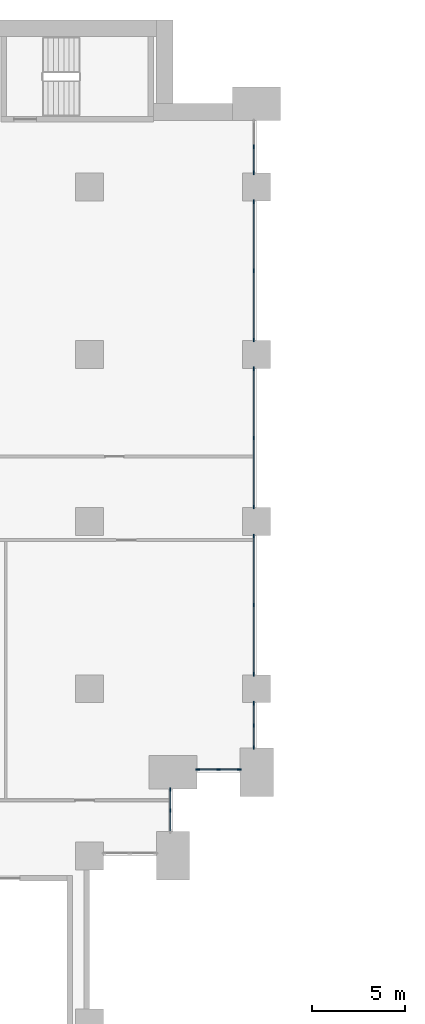
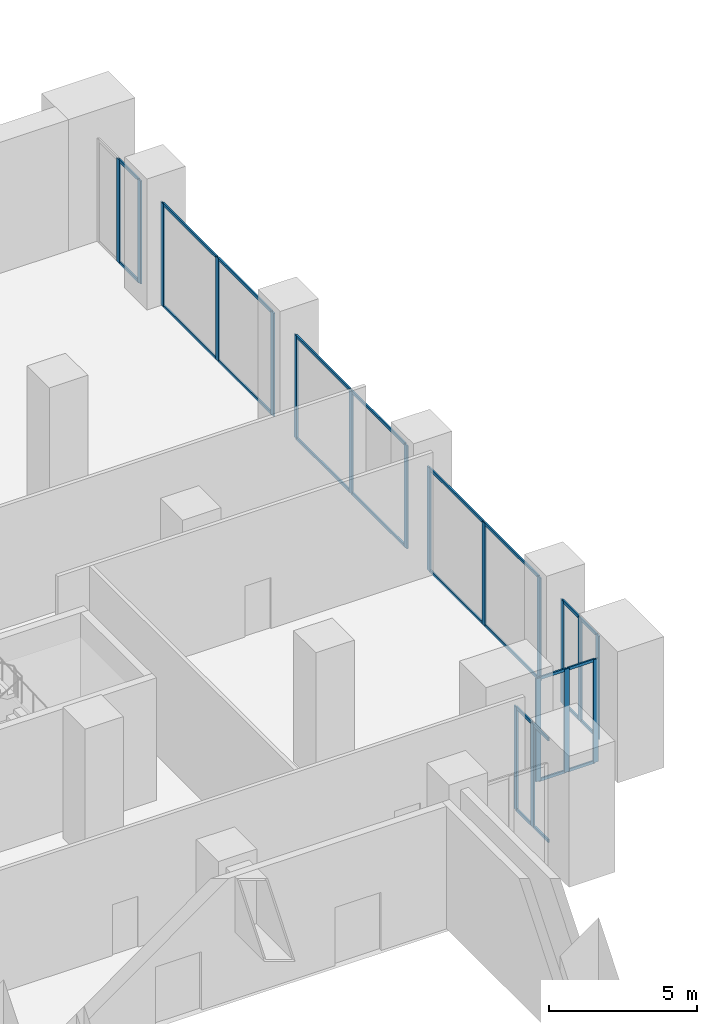
# One storey, part 7 of 43: 45 members, 7 elements without a shape of their own.
"""IFC4 building model written with IfcOpenShell, lengths in metres."""

from ifc_helpers import new_model, si_unit, direction, frame, origin, origin_2d, place, context, subcontext, project, spatial, rectangle, extrude, material, material_profile, profile_set, type_object, element, aggregate, save


model = new_model("IFC4")

# Units and contexts
model_context = context("Model", 3, precision=1e-05, world=origin(), true_north=direction((0.0, 1.0)))
body_context = subcontext(model_context, "Body", "Model", "MODEL_VIEW")
ifc_project = project(units=[si_unit("LENGTHUNIT", "METRE"), si_unit("AREAUNIT", "SQUARE_METRE"), si_unit("VOLUMEUNIT", "CUBIC_METRE"), si_unit("PLANEANGLEUNIT", "RADIAN"), si_unit("MASSUNIT", "GRAM", prefix="KILO")], contexts=[model_context])

# Site, building, storey
site_placement = place(None, origin())
site = spatial("IfcSite", under=ifc_project, at=site_placement, CompositionType="ELEMENT")
building_placement = place(site_placement, origin())
building = spatial("IfcBuilding", under=site, at=building_placement, Name="Hunhe Ridgeline Campus", CompositionType="ELEMENT")
storey_placement = place(building_placement, frame((0.0, 0.0, 11.39990234375)))
storey = spatial("IfcBuildingStorey", under=building, at=storey_placement, Name="L02", CompositionType="ELEMENT", Elevation=11.39990234375)

# Curtain wall, members
ifc_material_1 = material(Name="Aluminium and glass", Category="aluminium")
curtain_wall_type = type_object("IfcCurtainWallType", Name="Podium curtain wall CW-2", PredefinedType="NOTDEFINED", material=ifc_material_1)
curtain_wall_1_placement = place(storey_placement, origin())
curtain_wall_1 = element("IfcCurtainWall", 1, at=curtain_wall_1_placement, inside=storey, type_object=curtain_wall_type, Name="L02 podium curtain wall 2", PredefinedType="NOTDEFINED")
ifc_material_2 = material(Name="Aluminium", Category="aluminium")
ifc_material_profile_1 = material_profile(ifc_material_2, rectangle(XDim=0.06005859375, YDim=0.199951171875, at=origin_2d()))
ifc_profile_set_1 = profile_set([ifc_material_profile_1], Name="Aluminium")
member_type_1 = type_object("IfcMemberType", Name="CW-2 mullion 60x200", PredefinedType="MULLION", material=ifc_profile_set_1)
member_1_placement = place(storey_placement, frame((94.35009765625, 56.449951171875, 0.0), z_axis=(0.0, 0.0, 1.0), x_axis=(-1.0, 0.0, 0.0)))
member_1 = element("IfcMember", 2, at=member_1_placement, type_object=member_type_1, Name="CW2 mullion 2", PredefinedType="MULLION", context=body_context, shape_type="SweptSolid", body=[
    extrude(rectangle(XDim=0.06005859375, YDim=0.199951171875, at=origin_2d()), origin(), (0.0, 0.0, 1.0), 4.25),
])
member_2_placement = place(storey_placement, frame((94.35009765625, 57.570068359375, 0.0), z_axis=(0.0, 0.0, 1.0), x_axis=(-1.0, 0.0, 0.0)))
member_2 = element("IfcMember", 3, at=member_2_placement, type_object=member_type_1, Name="CW2 mullion 3", PredefinedType="MULLION", context=body_context, shape_type="SweptSolid", body=[
    extrude(rectangle(XDim=0.06005859375, YDim=0.199951171875, at=origin_2d()), origin(), (0.0, 0.0, 1.0), 4.25),
])

curtain_wall_2_placement = place(storey_placement, origin())
curtain_wall_2 = element("IfcCurtainWall", 4, at=curtain_wall_2_placement, inside=storey, type_object=curtain_wall_type, Name="L02 podium curtain wall 3", PredefinedType="NOTDEFINED")
member_3_placement = place(storey_placement, frame((95.830078125, 58.64990234375, 0.0), z_axis=(0.0, 0.0, 1.0), x_axis=(0.0, 1.0, 0.0)))
member_3 = element("IfcMember", 5, at=member_3_placement, type_object=member_type_1, Name="CW2 mullion 1", PredefinedType="MULLION", context=body_context, shape_type="SweptSolid", body=[
    extrude(rectangle(XDim=0.06005859375, YDim=0.199951171875, at=origin_2d()), origin(), (0.0, 0.0, 1.0), 4.25),
])
member_4_placement = place(storey_placement, frame((96.949951171875, 58.64990234375, 0.0), z_axis=(0.0, 0.0, 1.0), x_axis=(0.0, 1.0, 0.0)))
member_4 = element("IfcMember", 6, at=member_4_placement, type_object=member_type_1, Name="CW2 mullion 2", PredefinedType="MULLION", context=body_context, shape_type="SweptSolid", body=[
    extrude(rectangle(XDim=0.06005859375, YDim=0.199951171875, at=origin_2d()), origin(), (0.0, 0.0, 1.0), 4.25),
])
member_5_placement = place(storey_placement, frame((98.070068359375, 58.64990234375, 0.0), z_axis=(0.0, 0.0, 1.0), x_axis=(0.0, 1.0, 0.0)))
member_5 = element("IfcMember", 7, at=member_5_placement, type_object=member_type_1, Name="CW2 mullion 3", PredefinedType="MULLION", context=body_context, shape_type="SweptSolid", body=[
    extrude(rectangle(XDim=0.06005859375, YDim=0.199951171875, at=origin_2d()), origin(), (0.0, 0.0, 1.0), 4.25),
])

curtain_wall_3_placement = place(storey_placement, origin())
curtain_wall_3 = element("IfcCurtainWall", 8, at=curtain_wall_3_placement, inside=storey, type_object=curtain_wall_type, Name="L02 podium curtain wall 4", PredefinedType="NOTDEFINED")
member_6_placement = place(storey_placement, frame((98.85009765625, 59.830078125, 0.0), z_axis=(0.0, 0.0, 1.0), x_axis=(-1.0, 0.0, 0.0)))
member_6 = element("IfcMember", 9, at=member_6_placement, type_object=member_type_1, Name="CW2 mullion 1", PredefinedType="MULLION", context=body_context, shape_type="SweptSolid", body=[
    extrude(rectangle(XDim=0.06005859375, YDim=0.199951171875, at=origin_2d()), origin(), (0.0, 0.0, 1.0), 4.25),
])
member_7_placement = place(storey_placement, frame((98.85009765625, 61.02490234375, 0.0), z_axis=(0.0, 0.0, 1.0), x_axis=(-1.0, 0.0, 0.0)))
member_7 = element("IfcMember", 10, at=member_7_placement, type_object=member_type_1, Name="CW2 mullion 2", PredefinedType="MULLION", context=body_context, shape_type="SweptSolid", body=[
    extrude(rectangle(XDim=0.06005859375, YDim=0.199951171875, at=origin_2d()), origin(), (0.0, 0.0, 1.0), 4.25),
])
member_8_placement = place(storey_placement, frame((98.85009765625, 62.219970703125, 0.0), z_axis=(0.0, 0.0, 1.0), x_axis=(-1.0, 0.0, 0.0)))
member_8 = element("IfcMember", 11, at=member_8_placement, type_object=member_type_1, Name="CW2 mullion 3", PredefinedType="MULLION", context=body_context, shape_type="SweptSolid", body=[
    extrude(rectangle(XDim=0.06005859375, YDim=0.199951171875, at=origin_2d()), origin(), (0.0, 0.0, 1.0), 4.25),
])

curtain_wall_4_placement = place(storey_placement, origin())
curtain_wall_4 = element("IfcCurtainWall", 12, at=curtain_wall_4_placement, inside=storey, type_object=curtain_wall_type, Name="L02 podium curtain wall 5", PredefinedType="NOTDEFINED")
member_9_placement = place(storey_placement, frame((98.85009765625, 63.780029296875, 0.0), z_axis=(0.0, 0.0, 1.0), x_axis=(-1.0, 0.0, 0.0)))
member_9 = element("IfcMember", 13, at=member_9_placement, type_object=member_type_1, Name="CW2 mullion 1", PredefinedType="MULLION", context=body_context, shape_type="SweptSolid", body=[
    extrude(rectangle(XDim=0.06005859375, YDim=0.199951171875, at=origin_2d()), origin(), (0.0, 0.0, 1.0), 4.25),
])
member_10_placement = place(storey_placement, frame((98.85009765625, 67.5, 0.0), z_axis=(0.0, 0.0, 1.0), x_axis=(-1.0, 0.0, 0.0)))
member_10 = element("IfcMember", 14, at=member_10_placement, type_object=member_type_1, Name="CW2 mullion 2", PredefinedType="MULLION", context=body_context, shape_type="SweptSolid", body=[
    extrude(rectangle(XDim=0.06005859375, YDim=0.199951171875, at=origin_2d()), origin(), (0.0, 0.0, 1.0), 4.25),
])
member_11_placement = place(storey_placement, frame((98.85009765625, 71.219970703125, 0.0), z_axis=(0.0, 0.0, 1.0), x_axis=(-1.0, 0.0, 0.0)))
member_11 = element("IfcMember", 15, at=member_11_placement, type_object=member_type_1, Name="CW2 mullion 3", PredefinedType="MULLION", context=body_context, shape_type="SweptSolid", body=[
    extrude(rectangle(XDim=0.06005859375, YDim=0.199951171875, at=origin_2d()), origin(), (0.0, 0.0, 1.0), 4.25),
])

curtain_wall_5_placement = place(storey_placement, origin())
curtain_wall_5 = element("IfcCurtainWall", 16, at=curtain_wall_5_placement, inside=storey, type_object=curtain_wall_type, Name="L02 podium curtain wall 6", PredefinedType="NOTDEFINED")
member_12_placement = place(storey_placement, frame((98.85009765625, 72.780029296875, 0.0), z_axis=(0.0, 0.0, 1.0), x_axis=(-1.0, 0.0, 0.0)))
member_12 = element("IfcMember", 17, at=member_12_placement, type_object=member_type_1, Name="CW2 mullion 1", PredefinedType="MULLION", context=body_context, shape_type="SweptSolid", body=[
    extrude(rectangle(XDim=0.06005859375, YDim=0.199951171875, at=origin_2d()), origin(), (0.0, 0.0, 1.0), 4.25),
])
member_13_placement = place(storey_placement, frame((98.85009765625, 76.5, 0.0), z_axis=(0.0, 0.0, 1.0), x_axis=(-1.0, 0.0, 0.0)))
member_13 = element("IfcMember", 18, at=member_13_placement, type_object=member_type_1, Name="CW2 mullion 2", PredefinedType="MULLION", context=body_context, shape_type="SweptSolid", body=[
    extrude(rectangle(XDim=0.06005859375, YDim=0.199951171875, at=origin_2d()), origin(), (0.0, 0.0, 1.0), 4.25),
])
member_14_placement = place(storey_placement, frame((98.85009765625, 80.219970703125, 0.0), z_axis=(0.0, 0.0, 1.0), x_axis=(-1.0, 0.0, 0.0)))
member_14 = element("IfcMember", 19, at=member_14_placement, type_object=member_type_1, Name="CW2 mullion 3", PredefinedType="MULLION", context=body_context, shape_type="SweptSolid", body=[
    extrude(rectangle(XDim=0.06005859375, YDim=0.199951171875, at=origin_2d()), origin(), (0.0, 0.0, 1.0), 4.25),
])

curtain_wall_6_placement = place(storey_placement, origin())
curtain_wall_6 = element("IfcCurtainWall", 20, at=curtain_wall_6_placement, inside=storey, type_object=curtain_wall_type, Name="L02 podium curtain wall 7", PredefinedType="NOTDEFINED")
member_15_placement = place(storey_placement, frame((98.85009765625, 81.780029296875, 0.0), z_axis=(0.0, 0.0, 1.0), x_axis=(-1.0, 0.0, 0.0)))
member_15 = element("IfcMember", 21, at=member_15_placement, type_object=member_type_1, Name="CW2 mullion 1", PredefinedType="MULLION", context=body_context, shape_type="SweptSolid", body=[
    extrude(rectangle(XDim=0.06005859375, YDim=0.199951171875, at=origin_2d()), origin(), (0.0, 0.0, 1.0), 4.25),
])
member_16_placement = place(storey_placement, frame((98.85009765625, 85.5, 0.0), z_axis=(0.0, 0.0, 1.0), x_axis=(-1.0, 0.0, 0.0)))
member_16 = element("IfcMember", 22, at=member_16_placement, type_object=member_type_1, Name="CW2 mullion 2", PredefinedType="MULLION", context=body_context, shape_type="SweptSolid", body=[
    extrude(rectangle(XDim=0.06005859375, YDim=0.199951171875, at=origin_2d()), origin(), (0.0, 0.0, 1.0), 4.25),
])
member_17_placement = place(storey_placement, frame((98.85009765625, 89.219970703125, 0.0), z_axis=(0.0, 0.0, 1.0), x_axis=(-1.0, 0.0, 0.0)))
member_17 = element("IfcMember", 23, at=member_17_placement, type_object=member_type_1, Name="CW2 mullion 3", PredefinedType="MULLION", context=body_context, shape_type="SweptSolid", body=[
    extrude(rectangle(XDim=0.06005859375, YDim=0.199951171875, at=origin_2d()), origin(), (0.0, 0.0, 1.0), 4.25),
])

curtain_wall_7_placement = place(storey_placement, origin())
curtain_wall_7 = element("IfcCurtainWall", 24, at=curtain_wall_7_placement, inside=storey, type_object=curtain_wall_type, Name="L02 podium curtain wall 8", PredefinedType="NOTDEFINED")
member_18_placement = place(storey_placement, frame((98.85009765625, 90.780029296875, 0.0), z_axis=(0.0, 0.0, 1.0), x_axis=(-1.0, 0.0, 0.0)))
member_18 = element("IfcMember", 25, at=member_18_placement, type_object=member_type_1, Name="CW2 mullion 1", PredefinedType="MULLION", context=body_context, shape_type="SweptSolid", body=[
    extrude(rectangle(XDim=0.06005859375, YDim=0.199951171875, at=origin_2d()), origin(), (0.0, 0.0, 1.0), 4.25),
])
member_19_placement = place(storey_placement, frame((98.85009765625, 92.175048828125, 0.0), z_axis=(0.0, 0.0, 1.0), x_axis=(-1.0, 0.0, 0.0)))
member_19 = element("IfcMember", 26, at=member_19_placement, type_object=member_type_1, Name="CW2 mullion 2", PredefinedType="MULLION", context=body_context, shape_type="SweptSolid", body=[
    extrude(rectangle(XDim=0.06005859375, YDim=0.199951171875, at=origin_2d()), origin(), (0.0, 0.0, 1.0), 4.25),
])

# Member
ifc_material_profile_2 = material_profile(ifc_material_2, rectangle(XDim=0.06005859375, YDim=0.1201171875, at=origin_2d()))
ifc_profile_set_2 = profile_set([ifc_material_profile_2], Name="Aluminium")
member_type_2 = type_object("IfcMemberType", Name="CW-2 transom 60x120", PredefinedType="USERDEFINED", material=ifc_profile_set_2)
member_20_placement = place(storey_placement, frame((94.35009765625, 55.360107421875, 0.030029296875), z_axis=(0.0, 1.0, 0.0), x_axis=(-1.0, 0.0, 0.0)))
member_20 = element("IfcMember", 27, at=member_20_placement, type_object=member_type_2, Name="CW2 transom 1.1", ObjectType="TRANSOM", PredefinedType="USERDEFINED", context=body_context, shape_type="SweptSolid", body=[
    extrude(rectangle(XDim=0.06005859375, YDim=0.1201171875, at=origin_2d()), origin(), (0.0, 0.0, 1.0), 1.059814453125),
])

member_21_placement = place(storey_placement, frame((94.35009765625, 55.360107421875, 4.22021484375), z_axis=(0.0, 1.0, 0.0), x_axis=(-1.0, 0.0, 0.0)))
member_21 = element("IfcMember", 28, at=member_21_placement, type_object=member_type_2, Name="CW2 transom 1.2", ObjectType="TRANSOM", PredefinedType="USERDEFINED", context=body_context, shape_type="SweptSolid", body=[
    extrude(rectangle(XDim=0.06005859375, YDim=0.1201171875, at=origin_2d()), origin(), (0.0, 0.0, 1.0), 1.059814453125),
])

member_22_placement = place(storey_placement, frame((94.35009765625, 56.47998046875, 0.030029296875), z_axis=(0.0, 1.0, 0.0), x_axis=(-1.0, 0.0, 0.0)))
member_22 = element("IfcMember", 29, at=member_22_placement, type_object=member_type_2, Name="CW2 transom 2.1", ObjectType="TRANSOM", PredefinedType="USERDEFINED", context=body_context, shape_type="SweptSolid", body=[
    extrude(rectangle(XDim=0.06005859375, YDim=0.1201171875, at=origin_2d()), origin(), (0.0, 0.0, 1.0), 1.06005859375),
])

member_23_placement = place(storey_placement, frame((94.35009765625, 56.47998046875, 4.22021484375), z_axis=(0.0, 1.0, 0.0), x_axis=(-1.0, 0.0, 0.0)))
member_23 = element("IfcMember", 30, at=member_23_placement, type_object=member_type_2, Name="CW2 transom 2.2", ObjectType="TRANSOM", PredefinedType="USERDEFINED", context=body_context, shape_type="SweptSolid", body=[
    extrude(rectangle(XDim=0.06005859375, YDim=0.1201171875, at=origin_2d()), origin(), (0.0, 0.0, 1.0), 1.06005859375),
])

aggregate(curtain_wall_1, [member_1, member_2, member_20, member_21, member_22, member_23])

member_24_placement = place(storey_placement, frame((95.860107421875, 58.64990234375, 0.030029296875), z_axis=(1.0, 0.0, 0.0), x_axis=(0.0, 1.0, 0.0)))
member_24 = element("IfcMember", 31, at=member_24_placement, type_object=member_type_2, Name="CW2 transom 1.1", ObjectType="TRANSOM", PredefinedType="USERDEFINED", context=body_context, shape_type="SweptSolid", body=[
    extrude(rectangle(XDim=0.06005859375, YDim=0.1201171875, at=origin_2d()), origin(), (0.0, 0.0, 1.0), 1.059814453125),
])

member_25_placement = place(storey_placement, frame((95.860107421875, 58.64990234375, 4.22021484375), z_axis=(1.0, 0.0, 0.0), x_axis=(0.0, 1.0, 0.0)))
member_25 = element("IfcMember", 32, at=member_25_placement, type_object=member_type_2, Name="CW2 transom 1.2", ObjectType="TRANSOM", PredefinedType="USERDEFINED", context=body_context, shape_type="SweptSolid", body=[
    extrude(rectangle(XDim=0.06005859375, YDim=0.1201171875, at=origin_2d()), origin(), (0.0, 0.0, 1.0), 1.059814453125),
])

member_26_placement = place(storey_placement, frame((96.97998046875, 58.64990234375, 0.030029296875), z_axis=(1.0, 0.0, 0.0), x_axis=(0.0, 1.0, 0.0)))
member_26 = element("IfcMember", 33, at=member_26_placement, type_object=member_type_2, Name="CW2 transom 2.1", ObjectType="TRANSOM", PredefinedType="USERDEFINED", context=body_context, shape_type="SweptSolid", body=[
    extrude(rectangle(XDim=0.06005859375, YDim=0.1201171875, at=origin_2d()), origin(), (0.0, 0.0, 1.0), 1.06005859375),
])

member_27_placement = place(storey_placement, frame((96.97998046875, 58.64990234375, 4.22021484375), z_axis=(1.0, 0.0, 0.0), x_axis=(0.0, 1.0, 0.0)))
member_27 = element("IfcMember", 34, at=member_27_placement, type_object=member_type_2, Name="CW2 transom 2.2", ObjectType="TRANSOM", PredefinedType="USERDEFINED", context=body_context, shape_type="SweptSolid", body=[
    extrude(rectangle(XDim=0.06005859375, YDim=0.1201171875, at=origin_2d()), origin(), (0.0, 0.0, 1.0), 1.06005859375),
])

aggregate(curtain_wall_2, [member_3, member_4, member_5, member_24, member_25, member_26, member_27])

member_28_placement = place(storey_placement, frame((98.85009765625, 59.860107421875, 0.030029296875), z_axis=(0.0, 1.0, 0.0), x_axis=(-1.0, 0.0, 0.0)))
member_28 = element("IfcMember", 35, at=member_28_placement, type_object=member_type_2, Name="CW2 transom 1.1", ObjectType="TRANSOM", PredefinedType="USERDEFINED", context=body_context, shape_type="SweptSolid", body=[
    extrude(rectangle(XDim=0.06005859375, YDim=0.1201171875, at=origin_2d()), origin(), (0.0, 0.0, 1.0), 1.135009765625),
])

member_29_placement = place(storey_placement, frame((98.85009765625, 59.860107421875, 4.22021484375), z_axis=(0.0, 1.0, 0.0), x_axis=(-1.0, 0.0, 0.0)))
member_29 = element("IfcMember", 36, at=member_29_placement, type_object=member_type_2, Name="CW2 transom 1.2", ObjectType="TRANSOM", PredefinedType="USERDEFINED", context=body_context, shape_type="SweptSolid", body=[
    extrude(rectangle(XDim=0.06005859375, YDim=0.1201171875, at=origin_2d()), origin(), (0.0, 0.0, 1.0), 1.135009765625),
])

member_30_placement = place(storey_placement, frame((98.85009765625, 61.054931640625, 0.030029296875), z_axis=(0.0, 1.0, 0.0), x_axis=(-1.0, 0.0, 0.0)))
member_30 = element("IfcMember", 37, at=member_30_placement, type_object=member_type_2, Name="CW2 transom 2.1", ObjectType="TRANSOM", PredefinedType="USERDEFINED", context=body_context, shape_type="SweptSolid", body=[
    extrude(rectangle(XDim=0.06005859375, YDim=0.1201171875, at=origin_2d()), origin(), (0.0, 0.0, 1.0), 1.135009765625),
])

member_31_placement = place(storey_placement, frame((98.85009765625, 61.054931640625, 4.22021484375), z_axis=(0.0, 1.0, 0.0), x_axis=(-1.0, 0.0, 0.0)))
member_31 = element("IfcMember", 38, at=member_31_placement, type_object=member_type_2, Name="CW2 transom 2.2", ObjectType="TRANSOM", PredefinedType="USERDEFINED", context=body_context, shape_type="SweptSolid", body=[
    extrude(rectangle(XDim=0.06005859375, YDim=0.1201171875, at=origin_2d()), origin(), (0.0, 0.0, 1.0), 1.135009765625),
])

aggregate(curtain_wall_3, [member_6, member_7, member_8, member_28, member_29, member_30, member_31])

member_32_placement = place(storey_placement, frame((98.85009765625, 63.81005859375, 0.030029296875), z_axis=(0.0, 1.0, 0.0), x_axis=(-1.0, 0.0, 0.0)))
member_32 = element("IfcMember", 39, at=member_32_placement, type_object=member_type_2, Name="CW2 transom 1.1", ObjectType="TRANSOM", PredefinedType="USERDEFINED", context=body_context, shape_type="SweptSolid", body=[
    extrude(rectangle(XDim=0.06005859375, YDim=0.1201171875, at=origin_2d()), origin(), (0.0, 0.0, 1.0), 3.659912109375),
])

member_33_placement = place(storey_placement, frame((98.85009765625, 63.81005859375, 4.22021484375), z_axis=(0.0, 1.0, 0.0), x_axis=(-1.0, 0.0, 0.0)))
member_33 = element("IfcMember", 40, at=member_33_placement, type_object=member_type_2, Name="CW2 transom 1.2", ObjectType="TRANSOM", PredefinedType="USERDEFINED", context=body_context, shape_type="SweptSolid", body=[
    extrude(rectangle(XDim=0.06005859375, YDim=0.1201171875, at=origin_2d()), origin(), (0.0, 0.0, 1.0), 3.659912109375),
])

member_34_placement = place(storey_placement, frame((98.85009765625, 67.530029296875, 0.030029296875), z_axis=(0.0, 1.0, 0.0), x_axis=(-1.0, 0.0, 0.0)))
member_34 = element("IfcMember", 41, at=member_34_placement, type_object=member_type_2, Name="CW2 transom 2.1", ObjectType="TRANSOM", PredefinedType="USERDEFINED", context=body_context, shape_type="SweptSolid", body=[
    extrude(rectangle(XDim=0.06005859375, YDim=0.1201171875, at=origin_2d()), origin(), (0.0, 0.0, 1.0), 3.659912109375),
])

member_35_placement = place(storey_placement, frame((98.85009765625, 67.530029296875, 4.22021484375), z_axis=(0.0, 1.0, 0.0), x_axis=(-1.0, 0.0, 0.0)))
member_35 = element("IfcMember", 42, at=member_35_placement, type_object=member_type_2, Name="CW2 transom 2.2", ObjectType="TRANSOM", PredefinedType="USERDEFINED", context=body_context, shape_type="SweptSolid", body=[
    extrude(rectangle(XDim=0.06005859375, YDim=0.1201171875, at=origin_2d()), origin(), (0.0, 0.0, 1.0), 3.659912109375),
])

aggregate(curtain_wall_4, [member_9, member_10, member_11, member_32, member_33, member_34, member_35])

member_36_placement = place(storey_placement, frame((98.85009765625, 72.81005859375, 0.030029296875), z_axis=(0.0, 1.0, 0.0), x_axis=(-1.0, 0.0, 0.0)))
member_36 = element("IfcMember", 43, at=member_36_placement, type_object=member_type_2, Name="CW2 transom 1.1", ObjectType="TRANSOM", PredefinedType="USERDEFINED", context=body_context, shape_type="SweptSolid", body=[
    extrude(rectangle(XDim=0.06005859375, YDim=0.1201171875, at=origin_2d()), origin(), (0.0, 0.0, 1.0), 3.659912109375),
])

member_37_placement = place(storey_placement, frame((98.85009765625, 72.81005859375, 4.22021484375), z_axis=(0.0, 1.0, 0.0), x_axis=(-1.0, 0.0, 0.0)))
member_37 = element("IfcMember", 44, at=member_37_placement, type_object=member_type_2, Name="CW2 transom 1.2", ObjectType="TRANSOM", PredefinedType="USERDEFINED", context=body_context, shape_type="SweptSolid", body=[
    extrude(rectangle(XDim=0.06005859375, YDim=0.1201171875, at=origin_2d()), origin(), (0.0, 0.0, 1.0), 3.659912109375),
])

member_38_placement = place(storey_placement, frame((98.85009765625, 76.530029296875, 0.030029296875), z_axis=(0.0, 1.0, 0.0), x_axis=(-1.0, 0.0, 0.0)))
member_38 = element("IfcMember", 45, at=member_38_placement, type_object=member_type_2, Name="CW2 transom 2.1", ObjectType="TRANSOM", PredefinedType="USERDEFINED", context=body_context, shape_type="SweptSolid", body=[
    extrude(rectangle(XDim=0.06005859375, YDim=0.1201171875, at=origin_2d()), origin(), (0.0, 0.0, 1.0), 3.659912109375),
])

member_39_placement = place(storey_placement, frame((98.85009765625, 76.530029296875, 4.22021484375), z_axis=(0.0, 1.0, 0.0), x_axis=(-1.0, 0.0, 0.0)))
member_39 = element("IfcMember", 46, at=member_39_placement, type_object=member_type_2, Name="CW2 transom 2.2", ObjectType="TRANSOM", PredefinedType="USERDEFINED", context=body_context, shape_type="SweptSolid", body=[
    extrude(rectangle(XDim=0.06005859375, YDim=0.1201171875, at=origin_2d()), origin(), (0.0, 0.0, 1.0), 3.659912109375),
])

aggregate(curtain_wall_5, [member_12, member_13, member_14, member_36, member_37, member_38, member_39])

member_40_placement = place(storey_placement, frame((98.85009765625, 81.81005859375, 0.030029296875), z_axis=(0.0, 1.0, 0.0), x_axis=(-1.0, 0.0, 0.0)))
member_40 = element("IfcMember", 47, at=member_40_placement, type_object=member_type_2, Name="CW2 transom 1.1", ObjectType="TRANSOM", PredefinedType="USERDEFINED", context=body_context, shape_type="SweptSolid", body=[
    extrude(rectangle(XDim=0.06005859375, YDim=0.1201171875, at=origin_2d()), origin(), (0.0, 0.0, 1.0), 3.659912109375),
])

member_41_placement = place(storey_placement, frame((98.85009765625, 81.81005859375, 4.22021484375), z_axis=(0.0, 1.0, 0.0), x_axis=(-1.0, 0.0, 0.0)))
member_41 = element("IfcMember", 48, at=member_41_placement, type_object=member_type_2, Name="CW2 transom 1.2", ObjectType="TRANSOM", PredefinedType="USERDEFINED", context=body_context, shape_type="SweptSolid", body=[
    extrude(rectangle(XDim=0.06005859375, YDim=0.1201171875, at=origin_2d()), origin(), (0.0, 0.0, 1.0), 3.659912109375),
])

member_42_placement = place(storey_placement, frame((98.85009765625, 85.530029296875, 0.030029296875), z_axis=(0.0, 1.0, 0.0), x_axis=(-1.0, 0.0, 0.0)))
member_42 = element("IfcMember", 49, at=member_42_placement, type_object=member_type_2, Name="CW2 transom 2.1", ObjectType="TRANSOM", PredefinedType="USERDEFINED", context=body_context, shape_type="SweptSolid", body=[
    extrude(rectangle(XDim=0.06005859375, YDim=0.1201171875, at=origin_2d()), origin(), (0.0, 0.0, 1.0), 3.659912109375),
])

member_43_placement = place(storey_placement, frame((98.85009765625, 85.530029296875, 4.22021484375), z_axis=(0.0, 1.0, 0.0), x_axis=(-1.0, 0.0, 0.0)))
member_43 = element("IfcMember", 50, at=member_43_placement, type_object=member_type_2, Name="CW2 transom 2.2", ObjectType="TRANSOM", PredefinedType="USERDEFINED", context=body_context, shape_type="SweptSolid", body=[
    extrude(rectangle(XDim=0.06005859375, YDim=0.1201171875, at=origin_2d()), origin(), (0.0, 0.0, 1.0), 3.659912109375),
])

aggregate(curtain_wall_6, [member_15, member_16, member_17, member_40, member_41, member_42, member_43])

member_44_placement = place(storey_placement, frame((98.85009765625, 90.81005859375, 0.030029296875), z_axis=(0.0, 1.0, 0.0), x_axis=(-1.0, 0.0, 0.0)))
member_44 = element("IfcMember", 51, at=member_44_placement, type_object=member_type_2, Name="CW2 transom 1.1", ObjectType="TRANSOM", PredefinedType="USERDEFINED", context=body_context, shape_type="SweptSolid", body=[
    extrude(rectangle(XDim=0.06005859375, YDim=0.1201171875, at=origin_2d()), origin(), (0.0, 0.0, 1.0), 1.3349609375),
])

member_45_placement = place(storey_placement, frame((98.85009765625, 90.81005859375, 4.22021484375), z_axis=(0.0, 1.0, 0.0), x_axis=(-1.0, 0.0, 0.0)))
member_45 = element("IfcMember", 52, at=member_45_placement, type_object=member_type_2, Name="CW2 transom 1.2", ObjectType="TRANSOM", PredefinedType="USERDEFINED", context=body_context, shape_type="SweptSolid", body=[
    extrude(rectangle(XDim=0.06005859375, YDim=0.1201171875, at=origin_2d()), origin(), (0.0, 0.0, 1.0), 1.3349609375),
])

aggregate(curtain_wall_7, [member_18, member_19, member_44, member_45])

save(model, "model.ifc")
